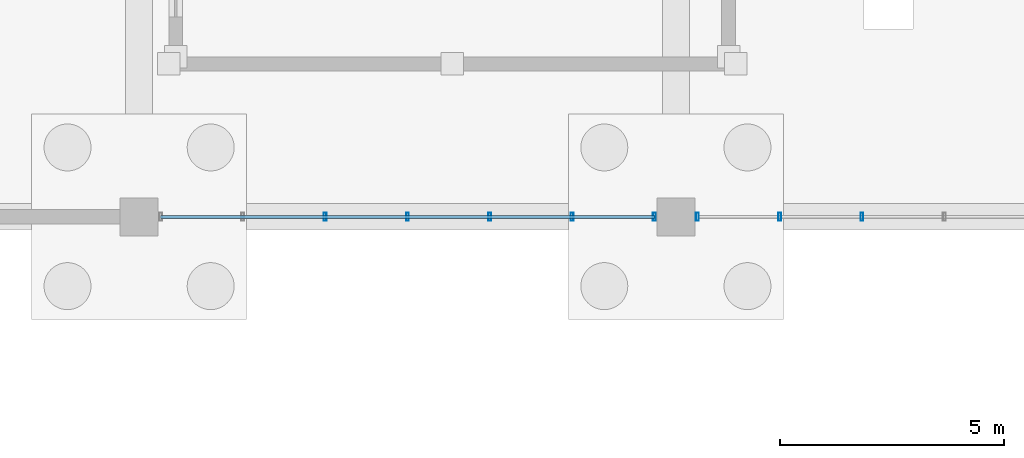
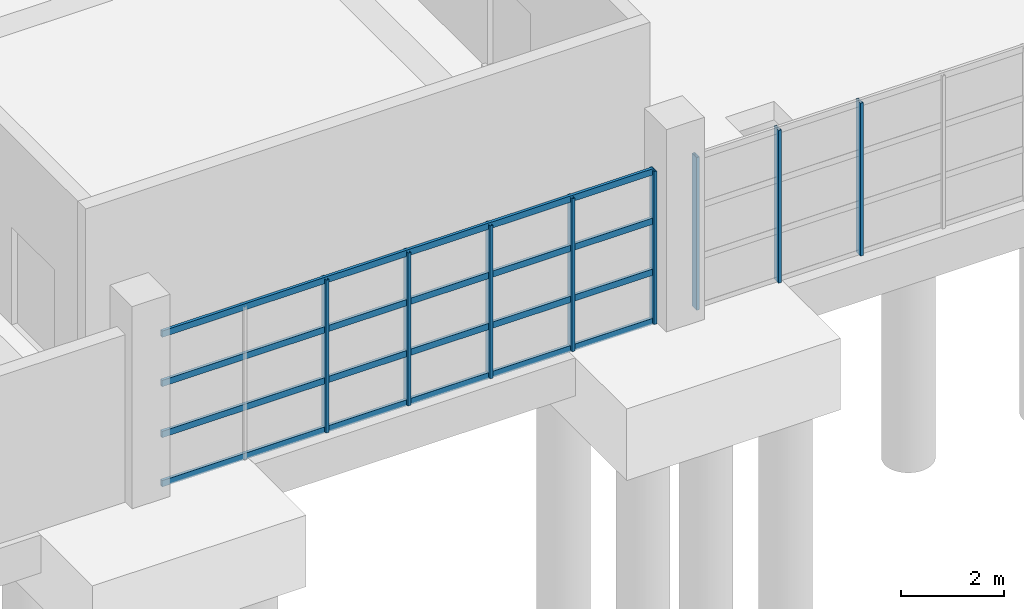
# One storey, part 43 of 82: 12 members, 2 elements without a shape of their own.
"""IFC4 building model written with IfcOpenShell, lengths in metres."""

from ifc_helpers import new_model, si_unit, direction, frame, origin, origin_2d, place, context, subcontext, project, spatial, hollow_rectangle, extrude, material, material_profile, profile_set, type_object, element, aggregate, save


model = new_model("IFC4")

# Units and contexts
model_context = context("Model", 3, precision=1e-05, world=origin(), true_north=direction((0.0, 1.0)))
body_context = subcontext(model_context, "Body", "Model", "MODEL_VIEW")
ifc_project = project(units=[si_unit("LENGTHUNIT", "METRE"), si_unit("AREAUNIT", "SQUARE_METRE"), si_unit("VOLUMEUNIT", "CUBIC_METRE"), si_unit("PLANEANGLEUNIT", "RADIAN"), si_unit("MASSUNIT", "GRAM", prefix="KILO")], contexts=[model_context])

# Site, building, storey
site_placement = place(None, origin())
site = spatial("IfcSite", under=ifc_project, at=site_placement, CompositionType="ELEMENT")
building_placement = place(site_placement, origin())
building = spatial("IfcBuilding", under=site, at=building_placement, Name="Kelmvaro Bay Concert Hall", CompositionType="ELEMENT")
storey_placement = place(building_placement, origin())
storey = spatial("IfcBuildingStorey", under=building, at=storey_placement, Name="L00", CompositionType="ELEMENT", Elevation=0.0)

# Curtain wall, members
ifc_material_1 = material(Name="Anodised Aluminium and Low-E Insulated Glazing", Category="aluminium")
curtain_wall_type = type_object("IfcCurtainWallType", Name="Chamber Foyer Curtain Wall 3900", PredefinedType="USERDEFINED", material=ifc_material_1)
curtain_wall_1_placement = place(storey_placement, origin())
curtain_wall_1 = element("IfcCurtainWall", 1, at=curtain_wall_1_placement, inside=storey, type_object=curtain_wall_type, Name="Unitised Curtain Wall CW-L00-030", ObjectType="UNITISED GLAZING", PredefinedType="USERDEFINED")
ifc_material_2 = material(Name="Anodised Extruded Aluminium 6063-T6", Category="aluminium")
ifc_material_profile_1 = material_profile(ifc_material_2, hollow_rectangle(XDim=0.06494140625, YDim=0.179931640625, WallThickness=0.00390625, at=origin_2d()), Name="ALU-MUL-180X65")
ifc_profile_set_1 = profile_set([ifc_material_profile_1], Name="Anodised Extruded Aluminium 6063-T6")
member_type_1 = type_object("IfcMemberType", Name="Curtain Mullion ALU 180x65", PredefinedType="MULLION", material=ifc_profile_set_1)
member_1_placement = place(storey_placement, frame((155.52001953125, 73.800048828125, 0.0), z_axis=(0.0, 0.0, 1.0), x_axis=(1.0, 0.0, 0.0)))
member_1 = element("IfcMember", 2, at=member_1_placement, type_object=member_type_1, Name="CW-L00-030 Mullion 01", PredefinedType="MULLION", context=body_context, shape_type="SweptSolid", body=[
    extrude(hollow_rectangle(XDim=0.06494140625, YDim=0.179931640625, WallThickness=0.00390625, at=origin_2d()), origin(), (0.0, 0.0, 1.0), 3.6298828125),
])
member_2_placement = place(storey_placement, frame((153.679931640625, 73.800048828125, 0.0), z_axis=(0.0, 0.0, 1.0), x_axis=(1.0, 0.0, 0.0)))
member_2 = element("IfcMember", 3, at=member_2_placement, type_object=member_type_1, Name="CW-L00-030 Mullion 02", PredefinedType="MULLION", context=body_context, shape_type="SweptSolid", body=[
    extrude(hollow_rectangle(XDim=0.06494140625, YDim=0.179931640625, WallThickness=0.00390625, at=origin_2d()), origin(), (0.0, 0.0, 1.0), 3.6298828125),
])
member_3_placement = place(storey_placement, frame((151.840087890625, 73.800048828125, 0.0), z_axis=(0.0, 0.0, 1.0), x_axis=(1.0, 0.0, 0.0)))
member_3 = element("IfcMember", 4, at=member_3_placement, type_object=member_type_1, Name="CW-L00-030 Mullion 03", PredefinedType="MULLION", context=body_context, shape_type="SweptSolid", body=[
    extrude(hollow_rectangle(XDim=0.06494140625, YDim=0.179931640625, WallThickness=0.00390625, at=origin_2d()), origin(), (0.0, 0.0, 1.0), 3.6298828125),
])
member_4_placement = place(storey_placement, frame((150.0, 73.800048828125, 0.0), z_axis=(0.0, 0.0, 1.0), x_axis=(1.0, 0.0, 0.0)))
member_4 = element("IfcMember", 5, at=member_4_placement, type_object=member_type_1, Name="CW-L00-030 Mullion 04", PredefinedType="MULLION", context=body_context, shape_type="SweptSolid", body=[
    extrude(hollow_rectangle(XDim=0.06494140625, YDim=0.179931640625, WallThickness=0.00390625, at=origin_2d()), origin(), (0.0, 0.0, 1.0), 3.6298828125),
])
member_5_placement = place(storey_placement, frame((148.159912109375, 73.800048828125, 0.0), z_axis=(0.0, 0.0, 1.0), x_axis=(1.0, 0.0, 0.0)))
member_5 = element("IfcMember", 6, at=member_5_placement, type_object=member_type_1, Name="CW-L00-030 Mullion 05", PredefinedType="MULLION", context=body_context, shape_type="SweptSolid", body=[
    extrude(hollow_rectangle(XDim=0.06494140625, YDim=0.179931640625, WallThickness=0.00390625, at=origin_2d()), origin(), (0.0, 0.0, 1.0), 3.6298828125),
])

curtain_wall_2_placement = place(storey_placement, origin())
curtain_wall_2 = element("IfcCurtainWall", 7, at=curtain_wall_2_placement, inside=storey, type_object=curtain_wall_type, Name="Unitised Curtain Wall CW-L00-031", ObjectType="UNITISED GLAZING", PredefinedType="USERDEFINED")
member_6_placement = place(storey_placement, frame((160.159912109375, 73.800048828125, 0.0), z_axis=(0.0, 0.0, 1.0), x_axis=(1.0, 0.0, 0.0)))
member_6 = element("IfcMember", 8, at=member_6_placement, type_object=member_type_1, Name="CW-L00-031 Mullion 05", PredefinedType="MULLION", context=body_context, shape_type="SweptSolid", body=[
    extrude(hollow_rectangle(XDim=0.06494140625, YDim=0.179931640625, WallThickness=0.00390625, at=origin_2d()), origin(), (0.0, 0.0, 1.0), 3.6298828125),
])
member_7_placement = place(storey_placement, frame((158.320068359375, 73.800048828125, 0.0), z_axis=(0.0, 0.0, 1.0), x_axis=(1.0, 0.0, 0.0)))
member_7 = element("IfcMember", 9, at=member_7_placement, type_object=member_type_1, Name="CW-L00-031 Mullion 06", PredefinedType="MULLION", context=body_context, shape_type="SweptSolid", body=[
    extrude(hollow_rectangle(XDim=0.06494140625, YDim=0.179931640625, WallThickness=0.00390625, at=origin_2d()), origin(), (0.0, 0.0, 1.0), 3.6298828125),
])
member_8_placement = place(storey_placement, frame((156.47998046875, 73.800048828125, 0.0), z_axis=(0.0, 0.0, 1.0), x_axis=(1.0, 0.0, 0.0)))
member_8 = element("IfcMember", 10, at=member_8_placement, type_object=member_type_1, Name="CW-L00-031 Mullion 07", PredefinedType="MULLION", context=body_context, shape_type="SweptSolid", body=[
    extrude(hollow_rectangle(XDim=0.06494140625, YDim=0.179931640625, WallThickness=0.00390625, at=origin_2d()), origin(), (0.0, 0.0, 1.0), 3.6298828125),
])
aggregate(curtain_wall_2, [member_6, member_7, member_8])

# Member
ifc_material_3 = material(Name="Anodised Extruded Aluminium 6063-T6", Category="aluminium")
ifc_material_profile_2 = material_profile(ifc_material_3, hollow_rectangle(XDim=0.06494140625, YDim=0.14990234375, WallThickness=0.00390625, at=origin_2d()), Name="ALU-TRN-150X65")
ifc_profile_set_2 = profile_set([ifc_material_profile_2], Name="Anodised Extruded Aluminium 6063-T6")
member_type_2 = type_object("IfcMemberType", Name="Curtain Transom ALU 150x65", PredefinedType="USERDEFINED", material=ifc_profile_set_2)
member_9_placement = place(storey_placement, frame((155.52001953125, 73.800048828125, 0.0400390625), z_axis=(-1.0, 0.0, 0.0), x_axis=(0.0, -1.0, 0.0)))
member_9 = element("IfcMember", 11, at=member_9_placement, type_object=member_type_2, Name="CW-L00-030 Transom 01", ObjectType="TRANSOM", PredefinedType="USERDEFINED", context=body_context, shape_type="SweptSolid", body=[
    extrude(hollow_rectangle(XDim=0.06494140625, YDim=0.14990234375, WallThickness=0.00390625, at=origin_2d()), origin(), (0.0, 0.0, 1.0), 11.0400390625),
])

member_10_placement = place(storey_placement, frame((155.52001953125, 73.800048828125, 1.2099609375), z_axis=(-1.0, 0.0, 0.0), x_axis=(0.0, -1.0, 0.0)))
member_10 = element("IfcMember", 12, at=member_10_placement, type_object=member_type_2, Name="CW-L00-030 Transom 02", ObjectType="TRANSOM", PredefinedType="USERDEFINED", context=body_context, shape_type="SweptSolid", body=[
    extrude(hollow_rectangle(XDim=0.06494140625, YDim=0.14990234375, WallThickness=0.00390625, at=origin_2d()), origin(), (0.0, 0.0, 1.0), 11.0400390625),
])

member_11_placement = place(storey_placement, frame((155.52001953125, 73.800048828125, 2.419921875), z_axis=(-1.0, 0.0, 0.0), x_axis=(0.0, -1.0, 0.0)))
member_11 = element("IfcMember", 13, at=member_11_placement, type_object=member_type_2, Name="CW-L00-030 Transom 03", ObjectType="TRANSOM", PredefinedType="USERDEFINED", context=body_context, shape_type="SweptSolid", body=[
    extrude(hollow_rectangle(XDim=0.06494140625, YDim=0.14990234375, WallThickness=0.00390625, at=origin_2d()), origin(), (0.0, 0.0, 1.0), 11.0400390625),
])

member_12_placement = place(storey_placement, frame((155.52001953125, 73.800048828125, 3.590087890625), z_axis=(-1.0, 0.0, 0.0), x_axis=(0.0, -1.0, 0.0)))
member_12 = element("IfcMember", 14, at=member_12_placement, type_object=member_type_2, Name="CW-L00-030 Transom 04", ObjectType="TRANSOM", PredefinedType="USERDEFINED", context=body_context, shape_type="SweptSolid", body=[
    extrude(hollow_rectangle(XDim=0.06494140625, YDim=0.14990234375, WallThickness=0.00390625, at=origin_2d()), origin(), (0.0, 0.0, 1.0), 11.0400390625),
])

aggregate(curtain_wall_1, [member_1, member_2, member_3, member_4, member_5, member_9, member_10, member_11, member_12])

save(model, "model.ifc")
